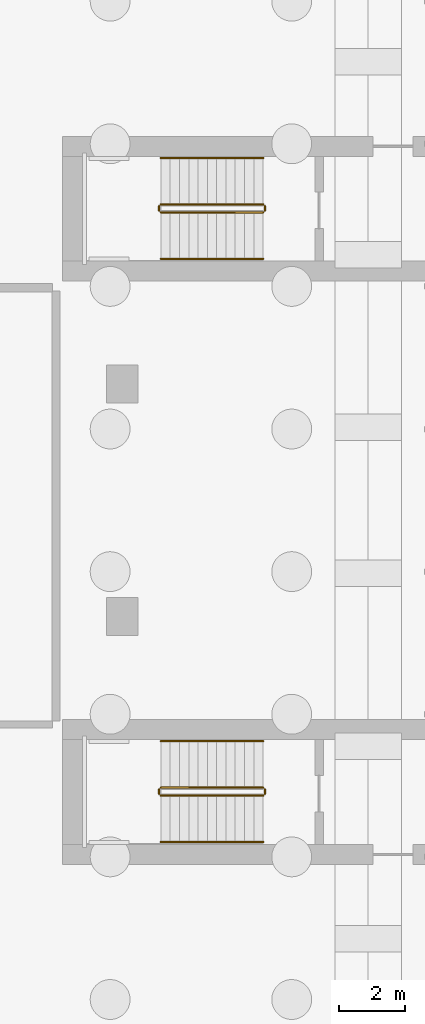
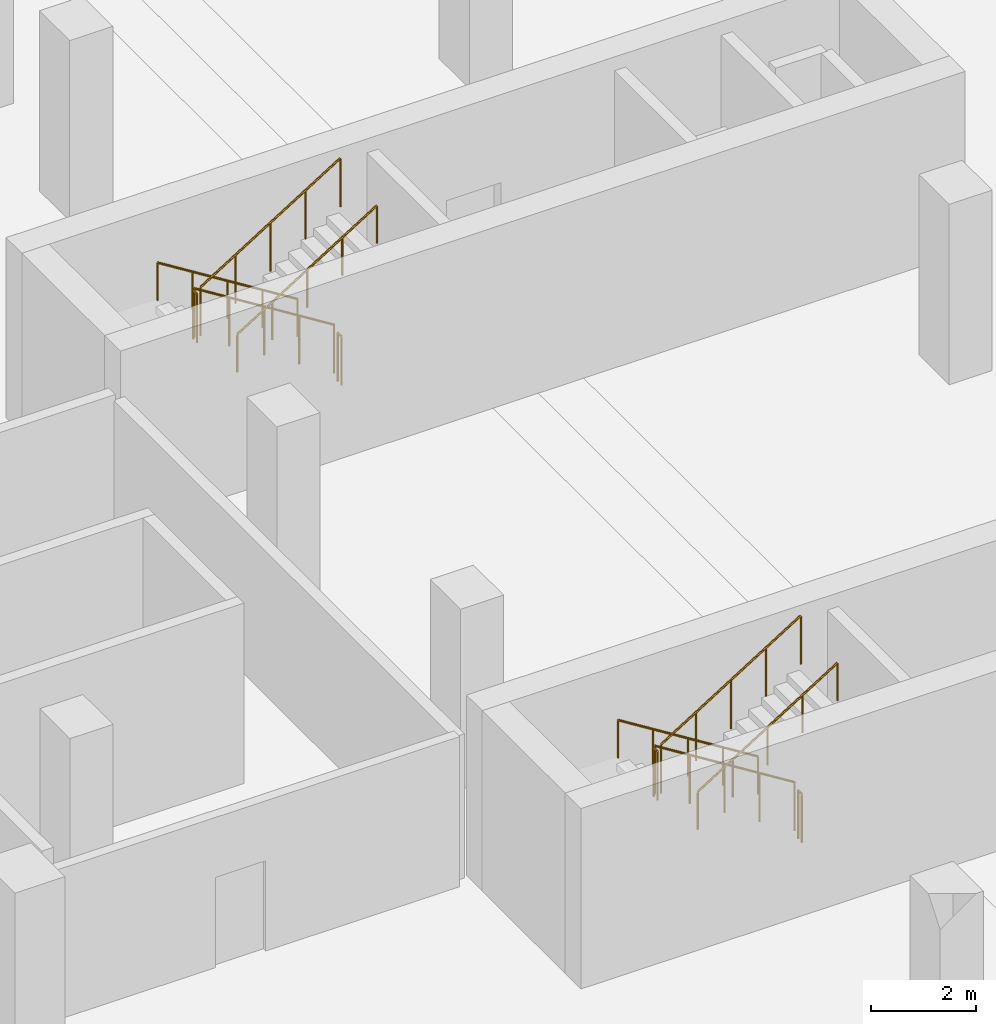
# One storey, part 13 of 14: 12 railings.
"""IFC4 building model written with IfcOpenShell, lengths in metres."""

import ifcopenshell
import ifcopenshell.guid

model = None  # the IFC model being written
_history = None  # IfcOwnerHistory: only IFC2X3 demands one
_inside = {}  # id of a spatial element -> (the spatial element, [elements in it])
_under = {}  # id of a project, library or spatial element -> (it, [spatial elements below it])
_declared = {}  # id of a project -> (the project, [libraries it declares])
_typed = {}  # id of a type object -> (the type object, [elements of that type])
_made_of = {}  # id of a material, layer set ... -> (it, [elements and type objects made of it])


def new_model(schema):
    """Start an empty IFC model of exactly this schema.

    Asked for "IFC4X3", IfcOpenShell would pick the latest addendum, in which some entities
    have other attributes; the version numbers below select the first issue.
    IFC2X3 requires an IfcOwnerHistory on every rooted entity: one is made here for all.
    """
    global model, _history
    if schema == "IFC4X3":
        model = ifcopenshell.file(schema_version=(4, 3, 0, 0))
    else:
        model = ifcopenshell.file(schema=schema)
    _inside.clear()
    _under.clear()
    _declared.clear()
    _typed.clear()
    _made_of.clear()
    _history = None
    if model.schema == "IFC2X3":
        org = make("IfcOrganization", Name="unknown")
        user = make(
            "IfcPersonAndOrganization",
            ThePerson=make("IfcPerson", FamilyName="unknown"),
            TheOrganization=org,
        )
        app = make(
            "IfcApplication",
            ApplicationDeveloper=org,
            Version="unknown",
            ApplicationFullName="unknown",
            ApplicationIdentifier="unknown",
        )
        _history = make(
            "IfcOwnerHistory",
            OwningUser=user,
            OwningApplication=app,
            ChangeAction="ADDED",
            CreationDate=0,
        )
    return model


def make(cls, **values):
    """One entity of the class cls with the attributes given. An attribute that is None is left unset."""
    return model.create_entity(
        cls, **{name: value for name, value in values.items() if value is not None}
    )


def rooted(cls, **values):
    """An entity with a GlobalId (a new one), such as an element, a storey or a relation."""
    return make(cls, GlobalId=ifcopenshell.guid.new(), OwnerHistory=_history, **values)


def si_unit(unit_type, name, prefix=None):
    """IfcSIUnit, for example si_unit("LENGTHUNIT", "METRE", prefix="MILLI")."""
    return make("IfcSIUnit", UnitType=unit_type, Prefix=prefix, Name=name)


def derived_unit(unit_type, elements):
    """IfcDerivedUnit: a product of units, each with its exponent."""
    return make(
        "IfcDerivedUnit",
        Elements=[
            make("IfcDerivedUnitElement", Unit=unit, Exponent=power)
            for unit, power in elements
        ],
        UnitType=unit_type,
    )


def assignment(units):
    """IfcUnitAssignment: the units of a project."""
    return None if units is None else make("IfcUnitAssignment", Units=units)


def point(xyz):
    """IfcCartesianPoint."""
    return None if xyz is None else make("IfcCartesianPoint", Coordinates=xyz)


def direction(xyz):
    """IfcDirection."""
    return None if xyz is None else make("IfcDirection", DirectionRatios=xyz)


def frame(location, z_axis=None, x_axis=None):
    """IfcAxis2Placement3D, a coordinate frame: its origin and axes. An axis left out is left unset."""
    return make(
        "IfcAxis2Placement3D",
        Location=point(location),
        Axis=direction(z_axis),
        RefDirection=direction(x_axis),
    )


def frame_2d(location, x_axis=None):
    """IfcAxis2Placement2D, a coordinate frame in the plane: its origin and x axis."""
    return make(
        "IfcAxis2Placement2D", Location=point(location), RefDirection=direction(x_axis)
    )


def origin():
    """The frame at (0, 0, 0) with its axes left unset."""
    return frame((0.0, 0.0, 0.0))


def origin_2d():
    """The frame at (0, 0) in the plane with its x axis left unset."""
    return frame_2d((0.0, 0.0))


def place(relative_to, where):
    """IfcLocalPlacement: puts the frame where relative to a parent placement (None: the world)."""
    return make(
        "IfcLocalPlacement", PlacementRelTo=relative_to, RelativePlacement=where
    )


def context(
    kind, dimensions, precision=None, world=None, true_north=None, identifier=None
):
    """IfcGeometricRepresentationContext, for example the 3D "Model" context."""
    return make(
        "IfcGeometricRepresentationContext",
        ContextIdentifier=identifier,
        ContextType=kind,
        CoordinateSpaceDimension=dimensions,
        Precision=precision,
        WorldCoordinateSystem=world,
        TrueNorth=true_north,
    )


def subcontext(parent, identifier, kind, view, scale=None):
    """IfcGeometricRepresentationSubContext, for example "Body" below "Model"."""
    return make(
        "IfcGeometricRepresentationSubContext",
        ContextIdentifier=identifier,
        ContextType=kind,
        ParentContext=parent,
        TargetScale=scale,
        TargetView=view,
    )


def project(units=None, contexts=None):
    """IfcProject with its units and contexts."""
    return rooted(
        "IfcProject",
        Name="project",
        RepresentationContexts=contexts,
        UnitsInContext=assignment(units),
    )


def spatial(cls, under=None, at=None, **own):
    """A site, building, storey or space (cls), placed at a placement, below another one or the project."""
    s = rooted(cls, ObjectPlacement=at, **own)
    if under is not None:
        _under.setdefault(under.id(), (under, []))[1].append(s)
    return s


def profile(cls, at=None, kind="AREA", **sizes):
    """A parametric profile (cls). Its sizes go by their IFC names, for example OverallWidth=200.0."""
    return make(cls, ProfileType=kind, Position=at, **sizes)


def circle(**sizes):
    """IfcCircleProfileDef."""
    return profile("IfcCircleProfileDef", **sizes)


def extrude(swept, where, along, depth):
    """IfcExtrudedAreaSolid: the profile swept, set in the frame where, extruded along a direction by depth."""
    return make(
        "IfcExtrudedAreaSolid",
        SweptArea=swept,
        Position=where,
        ExtrudedDirection=direction(along),
        Depth=depth,
    )


def shape(context_of_items, identifier, shape_type, items):
    """IfcShapeRepresentation: the items that make up one representation, for example the "Body"."""
    return make(
        "IfcShapeRepresentation",
        ContextOfItems=context_of_items,
        RepresentationIdentifier=identifier,
        RepresentationType=shape_type,
        Items=items,
    )


def material(Name=None, Category=None):
    """IfcMaterial."""
    return make("IfcMaterial", Name=Name, Category=Category)


def made_of(thing, what):
    """Note that an element or type object is made of a material, layer set ...; save() writes the relation."""
    if what is not None:
        _made_of.setdefault(what.id(), (what, []))[1].append(thing)
    return thing


def type_object(cls, material=None, **own):
    """A type object (cls), such as IfcWallType, which elements share."""
    return made_of(rooted(cls, **own), material)


def element(
    cls,
    number,
    at=None,
    inside=None,
    cuts=None,
    type_object=None,
    material=None,
    context=None,
    identifier="Body",
    shape_type=None,
    held_by="IfcProductDefinitionShape",
    body=None,
    shapes=None,
    **own,
):
    """One element of the class cls, such as IfcWall. Its Tag is "e" and its number.

    at: its placement. inside: the storey or other place that contains it. cuts: it is an
    opening in that element (IfcRelVoidsElement). A single representation is given by context,
    identifier, shape_type and body (its items); several are given by shapes. held_by: the class
    of the entity that holds the representations. save() writes the other relations.
    """
    e = rooted(cls, Tag="e%d" % number, ObjectPlacement=at, **own)
    if body is not None:
        shapes = [shape(context, identifier, shape_type, body)]
    if shapes is not None:
        e.Representation = make(held_by, Representations=shapes)
    if inside is not None:
        _inside.setdefault(inside.id(), (inside, []))[1].append(e)
    if cuts is not None:
        rooted(
            "IfcRelVoidsElement", RelatingBuildingElement=cuts, RelatedOpeningElement=e
        )
    if type_object is not None:
        _typed.setdefault(type_object.id(), (type_object, []))[1].append(e)
    return made_of(e, material)


def aggregate(whole, parts):
    """IfcRelAggregates: a whole, such as a stair, and the parts it consists of."""
    return rooted("IfcRelAggregates", RelatingObject=whole, RelatedObjects=parts)


def save(model, path):
    """Write the relations noted so far, then the file.

    IfcRelAggregates (storeys below a building ...), IfcRelContainedInSpatialStructure (elements
    in a storey), IfcRelDefinesByType, IfcRelAssociatesMaterial and IfcRelDeclares: one each for
    every whole, place, type object, material and project.
    """
    for whole, parts in _under.values():
        aggregate(whole, parts)
    for where, things in _inside.values():
        rooted(
            "IfcRelContainedInSpatialStructure",
            RelatedElements=things,
            RelatingStructure=where,
        )
    for kind, things in _typed.values():
        rooted("IfcRelDefinesByType", RelatedObjects=things, RelatingType=kind)
    for what, things in _made_of.values():
        rooted("IfcRelAssociatesMaterial", RelatedObjects=things, RelatingMaterial=what)
    for by, libraries in _declared.values():
        rooted("IfcRelDeclares", RelatingContext=by, RelatedDefinitions=libraries)
    model.write(path)


model = new_model("IFC4")

# Units and contexts
model_context = context("Model", 3, precision=1e-05, world=origin(), true_north=direction((0.0, 1.0)))
body_context = subcontext(model_context, "Body", "Model", "MODEL_VIEW")
ifc_project = project(units=[si_unit("LENGTHUNIT", "METRE"), si_unit("AREAUNIT", "SQUARE_METRE"), si_unit("VOLUMEUNIT", "CUBIC_METRE"), si_unit("PLANEANGLEUNIT", "RADIAN"), si_unit("MASSUNIT", "GRAM", prefix="KILO"), derived_unit("THERMALTRANSMITTANCEUNIT", [(si_unit("POWERUNIT", "WATT"), 1), (si_unit("LENGTHUNIT", "METRE"), -2), (si_unit("THERMODYNAMICTEMPERATUREUNIT", "KELVIN"), -1)])], contexts=[model_context])

# Site, building, storey
site_placement = place(None, origin())
site = spatial("IfcSite", under=ifc_project, at=site_placement, CompositionType="ELEMENT")
building_placement = place(site_placement, origin())
building = spatial("IfcBuilding", under=site, at=building_placement, Name="Kivonza Crest Hotel", CompositionType="ELEMENT")
storey_placement = place(building_placement, frame((0.0, 0.0, -8.39990234375)))
storey = spatial("IfcBuildingStorey", under=building, at=storey_placement, Name="B2", CompositionType="ELEMENT", Elevation=-8.39990234375)

# Railings
ifc_material_1 = material(Name="Brushed stainless steel handrail", Category="steel")
railing_type_1 = type_object("IfcRailingType", Name="RL-HAND-900", PredefinedType="HANDRAIL", material=ifc_material_1)
railing_1_placement = place(storey_placement, frame((73.840087890625, 35.31005859375, 0.1748046875)))
element("IfcRailing", 1, at=railing_1_placement, inside=storey, type_object=railing_type_1, Name="B2 ST-T2-N stair handrail 1", PredefinedType="HANDRAIL", context=body_context, shape_type="SweptSolid", body=[
    extrude(circle(Radius=0.02392578125, at=origin_2d()), frame((0.0, 0.0, 0.8759765625), z_axis=(-0.847998304005, 0.0, 0.529998940003), x_axis=(0.0, -1.0, 0.0)), (0.0, 0.0, 1.0), 3.632080078125),
    extrude(circle(Radius=0.02099609375, at=origin_2d()), origin(), (0.0, 0.0, 1.0), 0.851806640625),
    extrude(circle(Radius=0.02099609375, at=origin_2d()), frame((-0.77001953125, 0.0, 0.481201171875)), (0.0, 0.0, 1.0), 0.851806640625),
    extrude(circle(Radius=0.02099609375, at=origin_2d()), frame((-1.5400390625, 0.0, 0.96240234375)), (0.0, 0.0, 1.0), 0.851806640625),
    extrude(circle(Radius=0.02099609375, at=origin_2d()), frame((-2.31005859375, 0.0, 1.44384765625)), (0.0, 0.0, 1.0), 0.851806640625),
    extrude(circle(Radius=0.02099609375, at=origin_2d()), frame((-3.080078125, 0.0, 1.925048828125)), (0.0, 0.0, 1.0), 0.851806640625),
])
railing_2_placement = place(storey_placement, frame((70.760009765625, 32.27001953125, 2.27490234375)))
element("IfcRailing", 2, at=railing_2_placement, inside=storey, type_object=railing_type_1, Name="B2 ST-T2-N stair handrail 2", PredefinedType="HANDRAIL", context=body_context, shape_type="SweptSolid", body=[
    extrude(circle(Radius=0.02392578125, at=origin_2d()), frame((0.0, 0.0, 0.8759765625), z_axis=(0.847998304005, 0.0, 0.529998940003), x_axis=(0.0, 1.0, 0.0)), (0.0, 0.0, 1.0), 3.632080078125),
    extrude(circle(Radius=0.02099609375, at=origin_2d()), origin(), (0.0, 0.0, 1.0), 0.851806640625),
    extrude(circle(Radius=0.02099609375, at=origin_2d()), frame((0.77001953125, 0.0, 0.481201171875)), (0.0, 0.0, 1.0), 0.851806640625),
    extrude(circle(Radius=0.02099609375, at=origin_2d()), frame((1.5400390625, 0.0, 0.96240234375)), (0.0, 0.0, 1.0), 0.851806640625),
    extrude(circle(Radius=0.02099609375, at=origin_2d()), frame((2.31005859375, 0.0, 1.44384765625)), (0.0, 0.0, 1.0), 0.851806640625),
    extrude(circle(Radius=0.02099609375, at=origin_2d()), frame((3.080078125, 0.0, 1.925048828125)), (0.0, 0.0, 1.0), 0.851806640625),
])
railing_3_placement = place(storey_placement, frame((73.840087890625, 17.75, 0.1748046875)))
element("IfcRailing", 3, at=railing_3_placement, inside=storey, type_object=railing_type_1, Name="B2 ST-T2-S stair handrail 1", PredefinedType="HANDRAIL", context=body_context, shape_type="SweptSolid", body=[
    extrude(circle(Radius=0.02392578125, at=origin_2d()), frame((0.0, 0.0, 0.8759765625), z_axis=(-0.847998304005, 0.0, 0.529998940003), x_axis=(0.0, -1.0, 0.0)), (0.0, 0.0, 1.0), 3.632080078125),
    extrude(circle(Radius=0.02099609375, at=origin_2d()), origin(), (0.0, 0.0, 1.0), 0.851806640625),
    extrude(circle(Radius=0.02099609375, at=origin_2d()), frame((-0.77001953125, 0.0, 0.481201171875)), (0.0, 0.0, 1.0), 0.851806640625),
    extrude(circle(Radius=0.02099609375, at=origin_2d()), frame((-1.5400390625, 0.0, 0.96240234375)), (0.0, 0.0, 1.0), 0.851806640625),
    extrude(circle(Radius=0.02099609375, at=origin_2d()), frame((-2.31005859375, 0.0, 1.44384765625)), (0.0, 0.0, 1.0), 0.851806640625),
    extrude(circle(Radius=0.02099609375, at=origin_2d()), frame((-3.080078125, 0.0, 1.925048828125)), (0.0, 0.0, 1.0), 0.851806640625),
])
railing_4_placement = place(storey_placement, frame((70.760009765625, 14.7099609375, 2.27490234375)))
element("IfcRailing", 4, at=railing_4_placement, inside=storey, type_object=railing_type_1, Name="B2 ST-T2-S stair handrail 2", PredefinedType="HANDRAIL", context=body_context, shape_type="SweptSolid", body=[
    extrude(circle(Radius=0.02392578125, at=origin_2d()), frame((0.0, 0.0, 0.8759765625), z_axis=(0.847998304005, 0.0, 0.529998940003), x_axis=(0.0, 1.0, 0.0)), (0.0, 0.0, 1.0), 3.632080078125),
    extrude(circle(Radius=0.02099609375, at=origin_2d()), origin(), (0.0, 0.0, 1.0), 0.851806640625),
    extrude(circle(Radius=0.02099609375, at=origin_2d()), frame((0.77001953125, 0.0, 0.481201171875)), (0.0, 0.0, 1.0), 0.851806640625),
    extrude(circle(Radius=0.02099609375, at=origin_2d()), frame((1.5400390625, 0.0, 0.96240234375)), (0.0, 0.0, 1.0), 0.851806640625),
    extrude(circle(Radius=0.02099609375, at=origin_2d()), frame((2.31005859375, 0.0, 1.44384765625)), (0.0, 0.0, 1.0), 0.851806640625),
    extrude(circle(Radius=0.02099609375, at=origin_2d()), frame((3.080078125, 0.0, 1.925048828125)), (0.0, 0.0, 1.0), 0.851806640625),
])
ifc_material_2 = material(Name="Painted steel balustrade", Category="steel")
railing_type_2 = type_object("IfcRailingType", Name="RL-STAIR-1150", PredefinedType="BALUSTRADE", material=ifc_material_2)
railing_5_placement = place(storey_placement, frame((73.840087890625, 33.909912109375, 0.1748046875)))
element("IfcRailing", 5, at=railing_5_placement, inside=storey, type_object=railing_type_2, Name="B2 ST-T2-N stair guard 1", PredefinedType="BALUSTRADE", context=body_context, shape_type="SweptSolid", body=[
    extrude(circle(Radius=0.02392578125, at=origin_2d()), frame((0.0, 0.0, 1.1259765625), z_axis=(-0.847998304005, 0.0, 0.529998940003), x_axis=(0.0, -1.0, 0.0)), (0.0, 0.0, 1.0), 3.632080078125),
    extrude(circle(Radius=0.02099609375, at=origin_2d()), origin(), (0.0, 0.0, 1.0), 1.101806640625),
    extrude(circle(Radius=0.02099609375, at=origin_2d()), frame((-0.77001953125, 0.0, 0.481201171875)), (0.0, 0.0, 1.0), 1.101806640625),
    extrude(circle(Radius=0.02099609375, at=origin_2d()), frame((-1.5400390625, 0.0, 0.96240234375)), (0.0, 0.0, 1.0), 1.101806640625),
    extrude(circle(Radius=0.02099609375, at=origin_2d()), frame((-2.31005859375, 0.0, 1.44384765625)), (0.0, 0.0, 1.0), 1.101806640625),
    extrude(circle(Radius=0.02099609375, at=origin_2d()), frame((-3.080078125, 0.0, 1.925048828125)), (0.0, 0.0, 1.0), 1.101806640625),
])
railing_6_placement = place(storey_placement, frame((70.7099609375, 33.860107421875, 2.099853515625)))
element("IfcRailing", 6, at=railing_6_placement, inside=storey, type_object=railing_type_2, Name="B2 ST-T2-N stair guard 2", PredefinedType="BALUSTRADE", context=body_context, shape_type="SweptSolid", body=[
    extrude(circle(Radius=0.02392578125, at=origin_2d()), frame((0.0, 0.0, 1.1259765625), z_axis=(0.0, -1.0, 0.0), x_axis=(1.0, 0.0, 0.0)), (0.0, 0.0, 1.0), 0.14013671875),
    extrude(circle(Radius=0.02099609375, at=origin_2d()), origin(), (0.0, 0.0, 1.0), 1.101806640625),
    extrude(circle(Radius=0.02099609375, at=origin_2d()), frame((0.0, -0.14013671875, 0.0)), (0.0, 0.0, 1.0), 1.101806640625),
])
railing_7_placement = place(storey_placement, frame((70.760009765625, 33.669921875, 2.27490234375)))
element("IfcRailing", 7, at=railing_7_placement, inside=storey, type_object=railing_type_2, Name="B2 ST-T2-N stair guard 3", PredefinedType="BALUSTRADE", context=body_context, shape_type="SweptSolid", body=[
    extrude(circle(Radius=0.02392578125, at=origin_2d()), frame((0.0, 0.0, 1.1259765625), z_axis=(0.847998304005, 0.0, 0.529998940003), x_axis=(0.0, 1.0, 0.0)), (0.0, 0.0, 1.0), 3.632080078125),
    extrude(circle(Radius=0.02099609375, at=origin_2d()), origin(), (0.0, 0.0, 1.0), 1.101806640625),
    extrude(circle(Radius=0.02099609375, at=origin_2d()), frame((0.77001953125, 0.0, 0.481201171875)), (0.0, 0.0, 1.0), 1.101806640625),
    extrude(circle(Radius=0.02099609375, at=origin_2d()), frame((1.5400390625, 0.0, 0.96240234375)), (0.0, 0.0, 1.0), 1.101806640625),
    extrude(circle(Radius=0.02099609375, at=origin_2d()), frame((2.31005859375, 0.0, 1.44384765625)), (0.0, 0.0, 1.0), 1.101806640625),
    extrude(circle(Radius=0.02099609375, at=origin_2d()), frame((3.080078125, 0.0, 1.925048828125)), (0.0, 0.0, 1.0), 1.101806640625),
])
railing_8_placement = place(storey_placement, frame((73.889892578125, 33.860107421875, 0.0)))
element("IfcRailing", 8, at=railing_8_placement, inside=storey, type_object=railing_type_2, Name="B2 ST-T2-N stair guard 4", PredefinedType="BALUSTRADE", context=body_context, shape_type="SweptSolid", body=[
    extrude(circle(Radius=0.02392578125, at=origin_2d()), frame((0.0, 0.0, 1.1259765625), z_axis=(0.0, -1.0, 0.0), x_axis=(1.0, 0.0, 0.0)), (0.0, 0.0, 1.0), 0.14013671875),
    extrude(circle(Radius=0.02099609375, at=origin_2d()), origin(), (0.0, 0.0, 1.0), 1.101806640625),
    extrude(circle(Radius=0.02099609375, at=origin_2d()), frame((0.0, -0.14013671875, 0.0)), (0.0, 0.0, 1.0), 1.101806640625),
])
railing_9_placement = place(storey_placement, frame((73.840087890625, 16.35009765625, 0.1748046875)))
element("IfcRailing", 9, at=railing_9_placement, inside=storey, type_object=railing_type_2, Name="B2 ST-T2-S stair guard 1", PredefinedType="BALUSTRADE", context=body_context, shape_type="SweptSolid", body=[
    extrude(circle(Radius=0.02392578125, at=origin_2d()), frame((0.0, 0.0, 1.1259765625), z_axis=(-0.847998304005, 0.0, 0.529998940003), x_axis=(0.0, -1.0, 0.0)), (0.0, 0.0, 1.0), 3.632080078125),
    extrude(circle(Radius=0.02099609375, at=origin_2d()), origin(), (0.0, 0.0, 1.0), 1.101806640625),
    extrude(circle(Radius=0.02099609375, at=origin_2d()), frame((-0.77001953125, 0.0, 0.481201171875)), (0.0, 0.0, 1.0), 1.101806640625),
    extrude(circle(Radius=0.02099609375, at=origin_2d()), frame((-1.5400390625, 0.0, 0.96240234375)), (0.0, 0.0, 1.0), 1.101806640625),
    extrude(circle(Radius=0.02099609375, at=origin_2d()), frame((-2.31005859375, 0.0, 1.44384765625)), (0.0, 0.0, 1.0), 1.101806640625),
    extrude(circle(Radius=0.02099609375, at=origin_2d()), frame((-3.080078125, 0.0, 1.925048828125)), (0.0, 0.0, 1.0), 1.101806640625),
])
railing_10_placement = place(storey_placement, frame((70.7099609375, 16.300048828125, 2.099853515625)))
element("IfcRailing", 10, at=railing_10_placement, inside=storey, type_object=railing_type_2, Name="B2 ST-T2-S stair guard 2", PredefinedType="BALUSTRADE", context=body_context, shape_type="SweptSolid", body=[
    extrude(circle(Radius=0.02392578125, at=origin_2d()), frame((0.0, 0.0, 1.1259765625), z_axis=(0.0, -1.0, 0.0), x_axis=(1.0, 0.0, 0.0)), (0.0, 0.0, 1.0), 0.14013671875),
    extrude(circle(Radius=0.02099609375, at=origin_2d()), origin(), (0.0, 0.0, 1.0), 1.101806640625),
    extrude(circle(Radius=0.02099609375, at=origin_2d()), frame((0.0, -0.14013671875, 0.0)), (0.0, 0.0, 1.0), 1.101806640625),
])
railing_11_placement = place(storey_placement, frame((70.760009765625, 16.110107421875, 2.27490234375)))
element("IfcRailing", 11, at=railing_11_placement, inside=storey, type_object=railing_type_2, Name="B2 ST-T2-S stair guard 3", PredefinedType="BALUSTRADE", context=body_context, shape_type="SweptSolid", body=[
    extrude(circle(Radius=0.02392578125, at=origin_2d()), frame((0.0, 0.0, 1.1259765625), z_axis=(0.847998304005, 0.0, 0.529998940003), x_axis=(0.0, 1.0, 0.0)), (0.0, 0.0, 1.0), 3.632080078125),
    extrude(circle(Radius=0.02099609375, at=origin_2d()), origin(), (0.0, 0.0, 1.0), 1.101806640625),
    extrude(circle(Radius=0.02099609375, at=origin_2d()), frame((0.77001953125, 0.0, 0.481201171875)), (0.0, 0.0, 1.0), 1.101806640625),
    extrude(circle(Radius=0.02099609375, at=origin_2d()), frame((1.5400390625, 0.0, 0.96240234375)), (0.0, 0.0, 1.0), 1.101806640625),
    extrude(circle(Radius=0.02099609375, at=origin_2d()), frame((2.31005859375, 0.0, 1.44384765625)), (0.0, 0.0, 1.0), 1.101806640625),
    extrude(circle(Radius=0.02099609375, at=origin_2d()), frame((3.080078125, 0.0, 1.925048828125)), (0.0, 0.0, 1.0), 1.101806640625),
])
railing_12_placement = place(storey_placement, frame((73.889892578125, 16.300048828125, 0.0)))
element("IfcRailing", 12, at=railing_12_placement, inside=storey, type_object=railing_type_2, Name="B2 ST-T2-S stair guard 4", PredefinedType="BALUSTRADE", context=body_context, shape_type="SweptSolid", body=[
    extrude(circle(Radius=0.02392578125, at=origin_2d()), frame((0.0, 0.0, 1.1259765625), z_axis=(0.0, -1.0, 0.0), x_axis=(1.0, 0.0, 0.0)), (0.0, 0.0, 1.0), 0.14013671875),
    extrude(circle(Radius=0.02099609375, at=origin_2d()), origin(), (0.0, 0.0, 1.0), 1.101806640625),
    extrude(circle(Radius=0.02099609375, at=origin_2d()), frame((0.0, -0.14013671875, 0.0)), (0.0, 0.0, 1.0), 1.101806640625),
])

save(model, "model.ifc")
